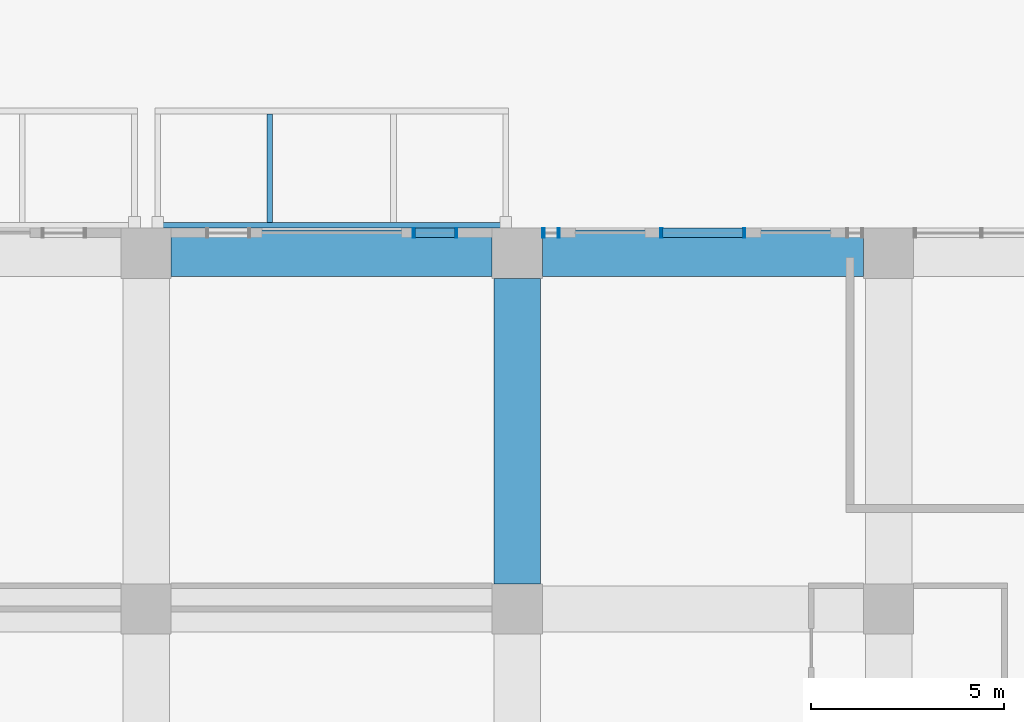
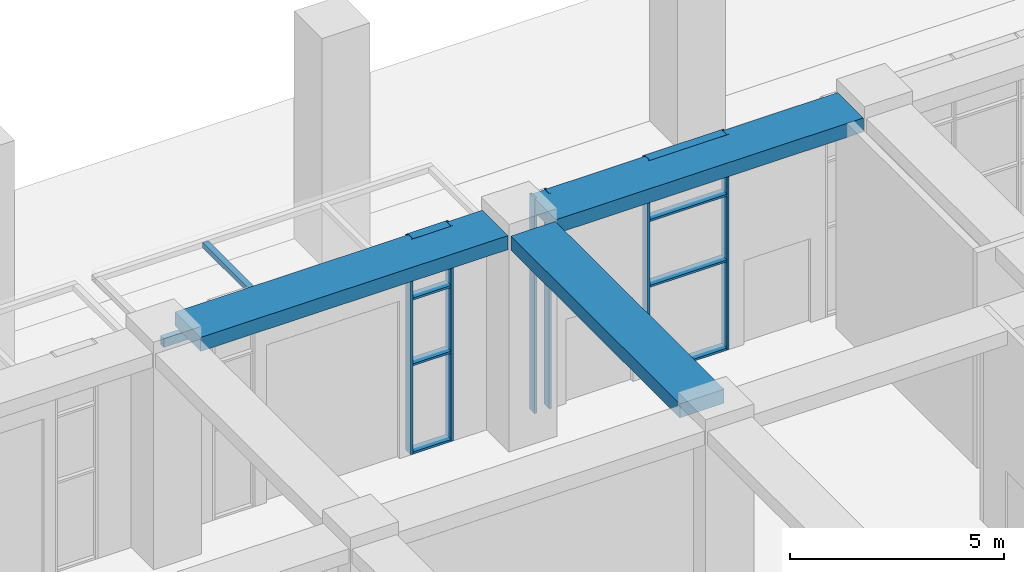
# One storey, part 7 of 45: 16 members, 3 beams, 3 elements without a shape of their own.
"""IFC4 building model written with IfcOpenShell, lengths in metres."""

import ifcopenshell
import ifcopenshell.guid

model = None  # the IFC model being written
_history = None  # IfcOwnerHistory: only IFC2X3 demands one
_inside = {}  # id of a spatial element -> (the spatial element, [elements in it])
_under = {}  # id of a project, library or spatial element -> (it, [spatial elements below it])
_declared = {}  # id of a project -> (the project, [libraries it declares])
_typed = {}  # id of a type object -> (the type object, [elements of that type])
_made_of = {}  # id of a material, layer set ... -> (it, [elements and type objects made of it])


def new_model(schema):
    """Start an empty IFC model of exactly this schema.

    Asked for "IFC4X3", IfcOpenShell would pick the latest addendum, in which some entities
    have other attributes; the version numbers below select the first issue.
    IFC2X3 requires an IfcOwnerHistory on every rooted entity: one is made here for all.
    """
    global model, _history
    if schema == "IFC4X3":
        model = ifcopenshell.file(schema_version=(4, 3, 0, 0))
    else:
        model = ifcopenshell.file(schema=schema)
    _inside.clear()
    _under.clear()
    _declared.clear()
    _typed.clear()
    _made_of.clear()
    _history = None
    if model.schema == "IFC2X3":
        org = make("IfcOrganization", Name="unknown")
        user = make(
            "IfcPersonAndOrganization",
            ThePerson=make("IfcPerson", FamilyName="unknown"),
            TheOrganization=org,
        )
        app = make(
            "IfcApplication",
            ApplicationDeveloper=org,
            Version="unknown",
            ApplicationFullName="unknown",
            ApplicationIdentifier="unknown",
        )
        _history = make(
            "IfcOwnerHistory",
            OwningUser=user,
            OwningApplication=app,
            ChangeAction="ADDED",
            CreationDate=0,
        )
    return model


def make(cls, **values):
    """One entity of the class cls with the attributes given. An attribute that is None is left unset."""
    return model.create_entity(
        cls, **{name: value for name, value in values.items() if value is not None}
    )


def rooted(cls, **values):
    """An entity with a GlobalId (a new one), such as an element, a storey or a relation."""
    return make(cls, GlobalId=ifcopenshell.guid.new(), OwnerHistory=_history, **values)


def si_unit(unit_type, name, prefix=None):
    """IfcSIUnit, for example si_unit("LENGTHUNIT", "METRE", prefix="MILLI")."""
    return make("IfcSIUnit", UnitType=unit_type, Prefix=prefix, Name=name)


def assignment(units):
    """IfcUnitAssignment: the units of a project."""
    return None if units is None else make("IfcUnitAssignment", Units=units)


def point(xyz):
    """IfcCartesianPoint."""
    return None if xyz is None else make("IfcCartesianPoint", Coordinates=xyz)


def direction(xyz):
    """IfcDirection."""
    return None if xyz is None else make("IfcDirection", DirectionRatios=xyz)


def frame(location, z_axis=None, x_axis=None):
    """IfcAxis2Placement3D, a coordinate frame: its origin and axes. An axis left out is left unset."""
    return make(
        "IfcAxis2Placement3D",
        Location=point(location),
        Axis=direction(z_axis),
        RefDirection=direction(x_axis),
    )


def frame_2d(location, x_axis=None):
    """IfcAxis2Placement2D, a coordinate frame in the plane: its origin and x axis."""
    return make(
        "IfcAxis2Placement2D", Location=point(location), RefDirection=direction(x_axis)
    )


def origin():
    """The frame at (0, 0, 0) with its axes left unset."""
    return frame((0.0, 0.0, 0.0))


def origin_2d():
    """The frame at (0, 0) in the plane with its x axis left unset."""
    return frame_2d((0.0, 0.0))


def place(relative_to, where):
    """IfcLocalPlacement: puts the frame where relative to a parent placement (None: the world)."""
    return make(
        "IfcLocalPlacement", PlacementRelTo=relative_to, RelativePlacement=where
    )


def context(
    kind, dimensions, precision=None, world=None, true_north=None, identifier=None
):
    """IfcGeometricRepresentationContext, for example the 3D "Model" context."""
    return make(
        "IfcGeometricRepresentationContext",
        ContextIdentifier=identifier,
        ContextType=kind,
        CoordinateSpaceDimension=dimensions,
        Precision=precision,
        WorldCoordinateSystem=world,
        TrueNorth=true_north,
    )


def subcontext(parent, identifier, kind, view, scale=None):
    """IfcGeometricRepresentationSubContext, for example "Body" below "Model"."""
    return make(
        "IfcGeometricRepresentationSubContext",
        ContextIdentifier=identifier,
        ContextType=kind,
        ParentContext=parent,
        TargetScale=scale,
        TargetView=view,
    )


def project(units=None, contexts=None):
    """IfcProject with its units and contexts."""
    return rooted(
        "IfcProject",
        Name="project",
        RepresentationContexts=contexts,
        UnitsInContext=assignment(units),
    )


def spatial(cls, under=None, at=None, **own):
    """A site, building, storey or space (cls), placed at a placement, below another one or the project."""
    s = rooted(cls, ObjectPlacement=at, **own)
    if under is not None:
        _under.setdefault(under.id(), (under, []))[1].append(s)
    return s


def profile(cls, at=None, kind="AREA", **sizes):
    """A parametric profile (cls). Its sizes go by their IFC names, for example OverallWidth=200.0."""
    return make(cls, ProfileType=kind, Position=at, **sizes)


def rectangle(**sizes):
    """IfcRectangleProfileDef."""
    return profile("IfcRectangleProfileDef", **sizes)


def hollow_rectangle(**sizes):
    """IfcRectangleHollowProfileDef."""
    return profile("IfcRectangleHollowProfileDef", **sizes)


def extrude(swept, where, along, depth):
    """IfcExtrudedAreaSolid: the profile swept, set in the frame where, extruded along a direction by depth."""
    return make(
        "IfcExtrudedAreaSolid",
        SweptArea=swept,
        Position=where,
        ExtrudedDirection=direction(along),
        Depth=depth,
    )


def shape(context_of_items, identifier, shape_type, items):
    """IfcShapeRepresentation: the items that make up one representation, for example the "Body"."""
    return make(
        "IfcShapeRepresentation",
        ContextOfItems=context_of_items,
        RepresentationIdentifier=identifier,
        RepresentationType=shape_type,
        Items=items,
    )


def material(Name=None, Category=None):
    """IfcMaterial."""
    return make("IfcMaterial", Name=Name, Category=Category)


def layer(
    of_material, thickness, ventilated=None, Name=None, Category=None, Priority=None
):
    """IfcMaterialLayer: one layer of a wall or slab, of a material (None: an air gap)."""
    return make(
        "IfcMaterialLayer",
        Material=of_material,
        LayerThickness=thickness,
        IsVentilated=ventilated,
        Name=Name,
        Category=Category,
        Priority=Priority,
    )


def layer_set(layers, Name=None):
    """IfcMaterialLayerSet."""
    return make("IfcMaterialLayerSet", MaterialLayers=layers, LayerSetName=Name)


def material_profile(
    of_material, cross_section, Name=None, Category=None, Priority=None
):
    """IfcMaterialProfile: a cross section and its material."""
    return make(
        "IfcMaterialProfile",
        Name=Name,
        Material=of_material,
        Profile=cross_section,
        Priority=Priority,
        Category=Category,
    )


def profile_set(profiles, Name=None, composite=None):
    """IfcMaterialProfileSet."""
    return make(
        "IfcMaterialProfileSet",
        Name=Name,
        MaterialProfiles=profiles,
        CompositeProfile=composite,
    )


def made_of(thing, what):
    """Note that an element or type object is made of a material, layer set ...; save() writes the relation."""
    if what is not None:
        _made_of.setdefault(what.id(), (what, []))[1].append(thing)
    return thing


def type_object(cls, material=None, **own):
    """A type object (cls), such as IfcWallType, which elements share."""
    return made_of(rooted(cls, **own), material)


def element(
    cls,
    number,
    at=None,
    inside=None,
    cuts=None,
    type_object=None,
    material=None,
    context=None,
    identifier="Body",
    shape_type=None,
    held_by="IfcProductDefinitionShape",
    body=None,
    shapes=None,
    **own,
):
    """One element of the class cls, such as IfcWall. Its Tag is "e" and its number.

    at: its placement. inside: the storey or other place that contains it. cuts: it is an
    opening in that element (IfcRelVoidsElement). A single representation is given by context,
    identifier, shape_type and body (its items); several are given by shapes. held_by: the class
    of the entity that holds the representations. save() writes the other relations.
    """
    e = rooted(cls, Tag="e%d" % number, ObjectPlacement=at, **own)
    if body is not None:
        shapes = [shape(context, identifier, shape_type, body)]
    if shapes is not None:
        e.Representation = make(held_by, Representations=shapes)
    if inside is not None:
        _inside.setdefault(inside.id(), (inside, []))[1].append(e)
    if cuts is not None:
        rooted(
            "IfcRelVoidsElement", RelatingBuildingElement=cuts, RelatedOpeningElement=e
        )
    if type_object is not None:
        _typed.setdefault(type_object.id(), (type_object, []))[1].append(e)
    return made_of(e, material)


def aggregate(whole, parts):
    """IfcRelAggregates: a whole, such as a stair, and the parts it consists of."""
    return rooted("IfcRelAggregates", RelatingObject=whole, RelatedObjects=parts)


def save(model, path):
    """Write the relations noted so far, then the file.

    IfcRelAggregates (storeys below a building ...), IfcRelContainedInSpatialStructure (elements
    in a storey), IfcRelDefinesByType, IfcRelAssociatesMaterial and IfcRelDeclares: one each for
    every whole, place, type object, material and project.
    """
    for whole, parts in _under.values():
        aggregate(whole, parts)
    for where, things in _inside.values():
        rooted(
            "IfcRelContainedInSpatialStructure",
            RelatedElements=things,
            RelatingStructure=where,
        )
    for kind, things in _typed.values():
        rooted("IfcRelDefinesByType", RelatedObjects=things, RelatingType=kind)
    for what, things in _made_of.values():
        rooted("IfcRelAssociatesMaterial", RelatedObjects=things, RelatingMaterial=what)
    for by, libraries in _declared.values():
        rooted("IfcRelDeclares", RelatingContext=by, RelatedDefinitions=libraries)
    model.write(path)


model = new_model("IFC4")

# Units and contexts
model_context = context("Model", 3, precision=1e-05, world=origin(), true_north=direction((0.0, 1.0)))
body_context = subcontext(model_context, "Body", "Model", "MODEL_VIEW")
ifc_project = project(units=[si_unit("LENGTHUNIT", "METRE"), si_unit("AREAUNIT", "SQUARE_METRE"), si_unit("VOLUMEUNIT", "CUBIC_METRE"), si_unit("PLANEANGLEUNIT", "RADIAN"), si_unit("MASSUNIT", "GRAM", prefix="KILO")], contexts=[model_context])

# Site, building, storey
site_placement = place(None, origin())
site = spatial("IfcSite", under=ifc_project, at=site_placement, CompositionType="ELEMENT")
building_placement = place(site_placement, origin())
building = spatial("IfcBuilding", under=site, at=building_placement, Name="Nzadi Deep Aquarium and Research Tower", CompositionType="ELEMENT")
storey_placement = place(building_placement, origin())
storey = spatial("IfcBuildingStorey", under=building, at=storey_placement, Name="G", CompositionType="ELEMENT", Elevation=0.0)

# Curtain wall, members
ifc_material_1 = material(Name="Aluminium stick frame", Category="aluminium")
ifc_layer = layer(ifc_material_1, 0.25)
ifc_layer_set = layer_set([ifc_layer], Name="Aluminium stick frame")
curtain_wall_type = type_object("IfcCurtainWallType", Name="Curtain wall Stick 250", PredefinedType="NOTDEFINED", material=ifc_layer_set)
curtain_wall_1_placement = place(storey_placement, origin())
curtain_wall_1 = element("IfcCurtainWall", 1, at=curtain_wall_1_placement, inside=storey, type_object=curtain_wall_type, Name="Lobby stick glazing G", PredefinedType="NOTDEFINED")
ifc_material_2 = material(Name="Aluminium stick frame", Category="aluminium")
ifc_material_profile_1 = material_profile(ifc_material_2, hollow_rectangle(XDim=0.25, YDim=0.06005859375, WallThickness=0.0048828125, at=origin_2d()))
ifc_profile_set_1 = profile_set([ifc_material_profile_1], Name="Aluminium stick frame")
member_type_1 = type_object("IfcMemberType", Name="Mullion 60x250 Stick", PredefinedType="MULLION", material=ifc_profile_set_1)
member_1_placement = place(storey_placement, frame((35.72998046875, 132.125, 0.0), z_axis=(0.0, 0.0, 1.0), x_axis=(0.0, 1.0, 0.0)))
member_1 = element("IfcMember", 2, at=member_1_placement, type_object=member_type_1, Name="CW238 mullion 1", PredefinedType="MULLION", context=body_context, shape_type="SweptSolid", body=[
    extrude(hollow_rectangle(XDim=0.25, YDim=0.06005859375, WallThickness=0.0048828125, at=origin_2d()), origin(), (0.0, 0.0, 1.0), 6.14990234375),
])
member_2_placement = place(storey_placement, frame((36.820068359375, 132.125, 0.0), z_axis=(0.0, 0.0, 1.0), x_axis=(0.0, 1.0, 0.0)))
member_2 = element("IfcMember", 3, at=member_2_placement, type_object=member_type_1, Name="CW238 mullion 2", PredefinedType="MULLION", context=body_context, shape_type="SweptSolid", body=[
    extrude(hollow_rectangle(XDim=0.25, YDim=0.06005859375, WallThickness=0.0048828125, at=origin_2d()), origin(), (0.0, 0.0, 1.0), 6.14990234375),
])

curtain_wall_2_placement = place(storey_placement, origin())
curtain_wall_2 = element("IfcCurtainWall", 4, at=curtain_wall_2_placement, inside=storey, type_object=curtain_wall_type, Name="Lobby stick glazing G", PredefinedType="NOTDEFINED")
member_3_placement = place(storey_placement, frame((39.080078125, 132.125, 0.0), z_axis=(0.0, 0.0, 1.0), x_axis=(0.0, 1.0, 0.0)))
member_3 = element("IfcMember", 5, at=member_3_placement, type_object=member_type_1, Name="CW241 mullion 1", PredefinedType="MULLION", context=body_context, shape_type="SweptSolid", body=[
    extrude(hollow_rectangle(XDim=0.25, YDim=0.06005859375, WallThickness=0.0048828125, at=origin_2d()), origin(), (0.0, 0.0, 1.0), 6.14990234375),
])
member_4_placement = place(storey_placement, frame((39.469970703125, 132.125, 0.0), z_axis=(0.0, 0.0, 1.0), x_axis=(0.0, 1.0, 0.0)))
member_4 = element("IfcMember", 6, at=member_4_placement, type_object=member_type_1, Name="CW241 mullion 2", PredefinedType="MULLION", context=body_context, shape_type="SweptSolid", body=[
    extrude(hollow_rectangle(XDim=0.25, YDim=0.06005859375, WallThickness=0.0048828125, at=origin_2d()), origin(), (0.0, 0.0, 1.0), 6.14990234375),
])
aggregate(curtain_wall_2, [member_3, member_4])

curtain_wall_3_placement = place(storey_placement, origin())
curtain_wall_3 = element("IfcCurtainWall", 7, at=curtain_wall_3_placement, inside=storey, type_object=curtain_wall_type, Name="Lobby stick glazing G", PredefinedType="NOTDEFINED")
member_5_placement = place(storey_placement, frame((42.1298828125, 132.125, 0.0), z_axis=(0.0, 0.0, 1.0), x_axis=(0.0, 1.0, 0.0)))
member_5 = element("IfcMember", 8, at=member_5_placement, type_object=member_type_1, Name="CW242 mullion 1", PredefinedType="MULLION", context=body_context, shape_type="SweptSolid", body=[
    extrude(hollow_rectangle(XDim=0.25, YDim=0.06005859375, WallThickness=0.0048828125, at=origin_2d()), origin(), (0.0, 0.0, 1.0), 6.14990234375),
])
member_6_placement = place(storey_placement, frame((44.27001953125, 132.125, 0.0), z_axis=(0.0, 0.0, 1.0), x_axis=(0.0, 1.0, 0.0)))
member_6 = element("IfcMember", 9, at=member_6_placement, type_object=member_type_1, Name="CW242 mullion 2", PredefinedType="MULLION", context=body_context, shape_type="SweptSolid", body=[
    extrude(hollow_rectangle(XDim=0.25, YDim=0.06005859375, WallThickness=0.0048828125, at=origin_2d()), origin(), (0.0, 0.0, 1.0), 6.14990234375),
])

# Beams
ifc_material_3 = material(Name="Concrete C35/45", Category="concrete")
ifc_material_profile_2 = material_profile(ifc_material_3, rectangle(XDim=1.199951171875, YDim=0.39990234375, at=origin_2d()))
ifc_profile_set_2 = profile_set([ifc_material_profile_2], Name="Concrete C35/45")
beam_type = type_object("IfcBeamType", Name="RC 1200x400", PredefinedType="BEAM", material=ifc_profile_set_2)
for number, where, z_axis, x_axis, name in (
    (10, (29.449951171875, 131.60009765625, 5.949951171875), (1.0, 0.0, 0.0), (0.0, 1.0, 0.0), "B-Z3-G-L17-4"),
    (11, (39.050048828125, 131.60009765625, 5.949951171875), (1.0, 0.0, 0.0), (0.0, 1.0, 0.0), "B-Z3-G-L17-5"),
):
    element("IfcBeam", number, at=place(storey_placement, frame(where, z_axis=z_axis, x_axis=x_axis)), inside=storey, type_object=beam_type, Name=name, PredefinedType="BEAM", context=body_context, shape_type="SweptSolid", body=[
        extrude(rectangle(XDim=1.199951171875, YDim=0.39990234375, at=origin_2d()), origin(), (0.0, 0.0, 1.0), 8.300048828125),
    ])
beam_placement = place(storey_placement, frame((38.39990234375, 123.050048828125, 5.949951171875), z_axis=(0.0, 1.0, 0.0), x_axis=(-1.0, 0.0, 0.0)))
element("IfcBeam", 12, at=beam_placement, inside=storey, type_object=beam_type, Name="B-Z3-G-CE-4-13", PredefinedType="BEAM", context=body_context, shape_type="SweptSolid", body=[
    extrude(rectangle(XDim=1.199951171875, YDim=0.39990234375, at=origin_2d()), origin(), (0.0, 0.0, 1.0), 7.89990234375),
])

# Members
ifc_material_4 = material(Name="Structural steel S355", Category="steel")
ifc_material_profile_3 = material_profile(ifc_material_4, hollow_rectangle(XDim=0.14990234375, YDim=0.14990234375, WallThickness=0.008056640625, at=origin_2d()))
ifc_profile_set_3 = profile_set([ifc_material_profile_3], Name="Structural steel S355")
member_type_2 = type_object("IfcMemberType", Name="RHS 150x150x8", PredefinedType="RAFTER", material=ifc_profile_set_3)
member_7_placement = place(storey_placement, frame((32.0, 132.39990234375, 5.375), z_axis=(0.0, 1.0, 0.0), x_axis=(-1.0, 0.0, 0.0)))
element("IfcMember", 13, at=member_7_placement, inside=storey, type_object=member_type_2, Name="Canopy rafter", PredefinedType="RAFTER", context=body_context, shape_type="SweptSolid", body=[
    extrude(hollow_rectangle(XDim=0.14990234375, YDim=0.14990234375, WallThickness=0.008056640625, at=origin_2d()), origin(), (0.0, 0.0, 1.0), 2.800048828125),
])
ifc_material_5 = material(Name="Structural steel S355", Category="steel")
ifc_material_profile_4 = material_profile(ifc_material_5, hollow_rectangle(XDim=0.14990234375, YDim=0.25, WallThickness=0.010009765625, at=origin_2d()))
ifc_profile_set_4 = profile_set([ifc_material_profile_4], Name="Structural steel S355")
member_type_3 = type_object("IfcMemberType", Name="RHS 250x150x10", PredefinedType="RAFTER", material=ifc_profile_set_4)
member_8_placement = place(storey_placement, frame((29.175048828125, 132.324951171875, 5.324951171875), z_axis=(1.0, 0.0, 0.0), x_axis=(0.0, 1.0, 0.0)))
element("IfcMember", 14, at=member_8_placement, inside=storey, type_object=member_type_3, Name="Canopy header beam", PredefinedType="RAFTER", context=body_context, shape_type="SweptSolid", body=[
    extrude(hollow_rectangle(XDim=0.14990234375, YDim=0.25, WallThickness=0.010009765625, at=origin_2d()), origin(), (0.0, 0.0, 1.0), 8.849853515625),
])

# Member
ifc_material_6 = material(Name="Aluminium stick frame", Category="aluminium")
ifc_material_profile_5 = material_profile(ifc_material_6, hollow_rectangle(XDim=0.25, YDim=0.06005859375, WallThickness=0.0048828125, at=origin_2d()))
ifc_profile_set_5 = profile_set([ifc_material_profile_5], Name="Aluminium stick frame")
member_type_4 = type_object("IfcMemberType", Name="Transom 60x250 Stick", PredefinedType="MULLION", material=ifc_profile_set_5)
member_9_placement = place(storey_placement, frame((35.760009765625, 132.125, 0.030029296875), z_axis=(1.0, 0.0, 0.0), x_axis=(0.0, 1.0, 0.0)))
member_9 = element("IfcMember", 15, at=member_9_placement, type_object=member_type_4, Name="CW238 transom 1.1", PredefinedType="MULLION", context=body_context, shape_type="SweptSolid", body=[
    extrude(hollow_rectangle(XDim=0.25, YDim=0.06005859375, WallThickness=0.0048828125, at=origin_2d()), origin(), (0.0, 0.0, 1.0), 1.030029296875),
])

member_10_placement = place(storey_placement, frame((35.760009765625, 132.125, 2.550048828125), z_axis=(1.0, 0.0, 0.0), x_axis=(0.0, 1.0, 0.0)))
member_10 = element("IfcMember", 16, at=member_10_placement, type_object=member_type_4, Name="CW238 transom 1.2", PredefinedType="MULLION", context=body_context, shape_type="SweptSolid", body=[
    extrude(hollow_rectangle(XDim=0.25, YDim=0.06005859375, WallThickness=0.0048828125, at=origin_2d()), origin(), (0.0, 0.0, 1.0), 1.030029296875),
])

member_11_placement = place(storey_placement, frame((35.760009765625, 132.125, 4.427978515625), z_axis=(1.0, 0.0, 0.0), x_axis=(0.0, 1.0, 0.0)))
member_11 = element("IfcMember", 17, at=member_11_placement, type_object=member_type_4, Name="CW238 transom 1.3", PredefinedType="MULLION", context=body_context, shape_type="SweptSolid", body=[
    extrude(hollow_rectangle(XDim=0.25, YDim=0.06005859375, WallThickness=0.0048828125, at=origin_2d()), origin(), (0.0, 0.0, 1.0), 1.030029296875),
])

member_12_placement = place(storey_placement, frame((35.760009765625, 132.125, 6.1201171875), z_axis=(1.0, 0.0, 0.0), x_axis=(0.0, 1.0, 0.0)))
member_12 = element("IfcMember", 18, at=member_12_placement, type_object=member_type_4, Name="CW238 transom 1.4", PredefinedType="MULLION", context=body_context, shape_type="SweptSolid", body=[
    extrude(hollow_rectangle(XDim=0.25, YDim=0.06005859375, WallThickness=0.0048828125, at=origin_2d()), origin(), (0.0, 0.0, 1.0), 1.030029296875),
])

aggregate(curtain_wall_1, [member_1, member_2, member_9, member_10, member_11, member_12])

member_13_placement = place(storey_placement, frame((42.159912109375, 132.125, 0.030029296875), z_axis=(1.0, 0.0, 0.0), x_axis=(0.0, 1.0, 0.0)))
member_13 = element("IfcMember", 19, at=member_13_placement, type_object=member_type_4, Name="CW242 transom 1.1", PredefinedType="MULLION", context=body_context, shape_type="SweptSolid", body=[
    extrude(hollow_rectangle(XDim=0.25, YDim=0.06005859375, WallThickness=0.0048828125, at=origin_2d()), origin(), (0.0, 0.0, 1.0), 2.080078125),
])

member_14_placement = place(storey_placement, frame((42.159912109375, 132.125, 2.550048828125), z_axis=(1.0, 0.0, 0.0), x_axis=(0.0, 1.0, 0.0)))
member_14 = element("IfcMember", 20, at=member_14_placement, type_object=member_type_4, Name="CW242 transom 1.2", PredefinedType="MULLION", context=body_context, shape_type="SweptSolid", body=[
    extrude(hollow_rectangle(XDim=0.25, YDim=0.06005859375, WallThickness=0.0048828125, at=origin_2d()), origin(), (0.0, 0.0, 1.0), 2.080078125),
])

member_15_placement = place(storey_placement, frame((42.159912109375, 132.125, 4.427978515625), z_axis=(1.0, 0.0, 0.0), x_axis=(0.0, 1.0, 0.0)))
member_15 = element("IfcMember", 21, at=member_15_placement, type_object=member_type_4, Name="CW242 transom 1.3", PredefinedType="MULLION", context=body_context, shape_type="SweptSolid", body=[
    extrude(hollow_rectangle(XDim=0.25, YDim=0.06005859375, WallThickness=0.0048828125, at=origin_2d()), origin(), (0.0, 0.0, 1.0), 2.080078125),
])

member_16_placement = place(storey_placement, frame((42.159912109375, 132.125, 6.1201171875), z_axis=(1.0, 0.0, 0.0), x_axis=(0.0, 1.0, 0.0)))
member_16 = element("IfcMember", 22, at=member_16_placement, type_object=member_type_4, Name="CW242 transom 1.4", PredefinedType="MULLION", context=body_context, shape_type="SweptSolid", body=[
    extrude(hollow_rectangle(XDim=0.25, YDim=0.06005859375, WallThickness=0.0048828125, at=origin_2d()), origin(), (0.0, 0.0, 1.0), 2.080078125),
])

aggregate(curtain_wall_3, [member_5, member_6, member_13, member_14, member_15, member_16])

save(model, "model.ifc")
